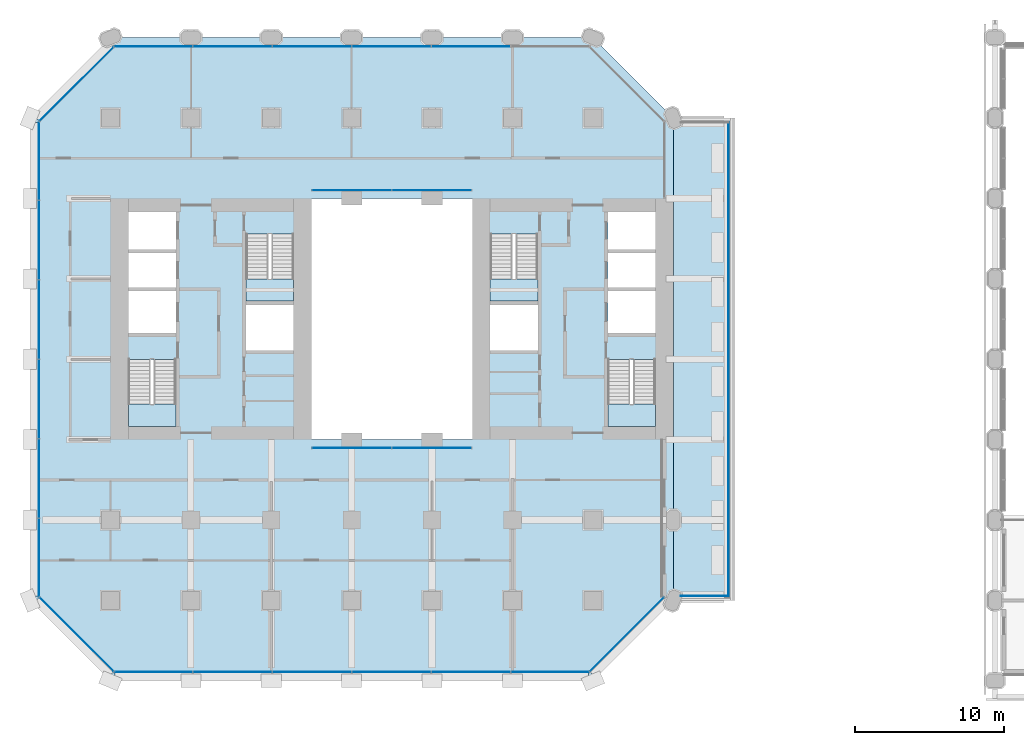
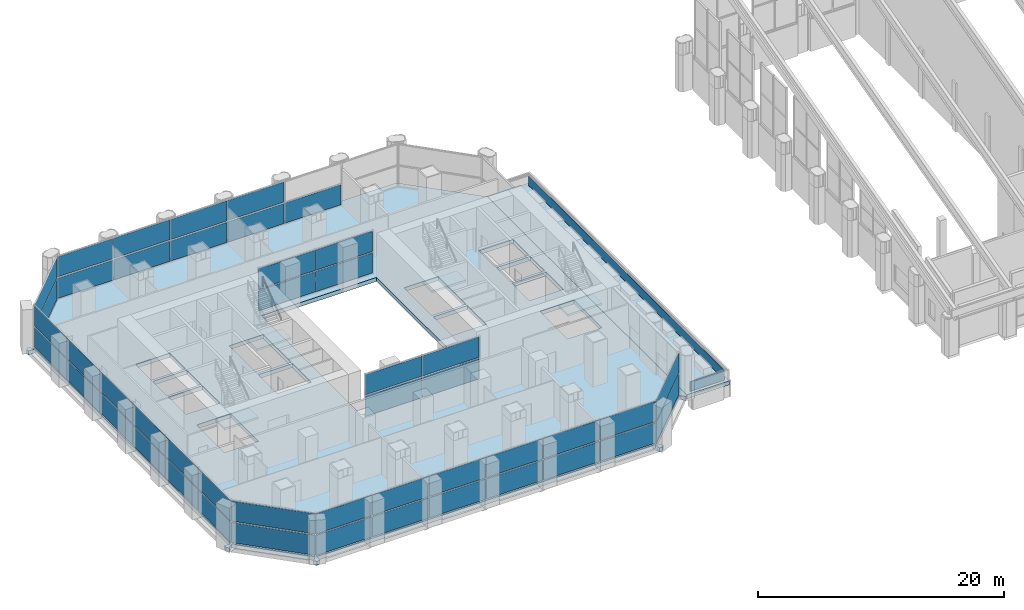
# One storey, part 24 of 42: 49 plates, 6 slabs, 12 elements without a shape of their own.
"""IFC4 building model written with IfcOpenShell, lengths in metres."""

from ifc_helpers import new_model, si_unit, direction, frame, frame_2d, origin, origin_2d, place, context, subcontext, project, spatial, polyline, rectangle, outline, extrude, material, layer, layer_set, type_object, element, aggregate, save


model = new_model("IFC4")

# Units and contexts
model_context = context("Model", 3, precision=1e-05, world=origin(), true_north=direction((0.0, 1.0)))
body_context = subcontext(model_context, "Body", "Model", "MODEL_VIEW")
ifc_project = project(units=[si_unit("LENGTHUNIT", "METRE"), si_unit("AREAUNIT", "SQUARE_METRE"), si_unit("VOLUMEUNIT", "CUBIC_METRE"), si_unit("PLANEANGLEUNIT", "RADIAN"), si_unit("MASSUNIT", "GRAM", prefix="KILO")], contexts=[model_context])

# Site, building, storey
site_placement = place(None, origin())
site = spatial("IfcSite", under=ifc_project, at=site_placement, CompositionType="ELEMENT")
building_placement = place(site_placement, origin())
building = spatial("IfcBuilding", under=site, at=building_placement, Name="Tabaq Tower and Sports Hall", CompositionType="ELEMENT")
storey_placement = place(building_placement, frame((0.0, 0.0, 19.800048828125)))
storey = spatial("IfcBuildingStorey", under=building, at=storey_placement, Name="L03", CompositionType="ELEMENT", Elevation=19.800048828125)

# Curtain wall, plates
ifc_material_1 = material(Name="Aluminium alloy 6063-T6 framed glazing", Category="aluminium")
curtain_wall_type_1 = type_object("IfcCurtainWallType", Name="CW1 curtain wall", PredefinedType="USERDEFINED", material=ifc_material_1)
curtain_wall_1_placement = place(storey_placement, origin())
curtain_wall_1 = element("IfcCurtainWall", 1, at=curtain_wall_1_placement, inside=storey, type_object=curtain_wall_type_1, Name="Atrium glazing L03 S", ObjectType="ATRIUM ENCLOSURE", PredefinedType="USERDEFINED")
ifc_material_2 = material(Name="Clear low-emissivity glass 28 mm", Category="glass")
ifc_layer_1 = layer(ifc_material_2, 0.028076171875)
ifc_layer_set_1 = layer_set([ifc_layer_1], Name="CW1 glass panel 28")
plate_type_1 = type_object("IfcPlateType", Name="CW1 glass panel 28", PredefinedType="CURTAIN_PANEL", material=ifc_layer_set_1)
plate_1_placement = place(storey_placement, frame((21.614990234375, 15.64990234375, 0.14013671875), z_axis=(0.0, 0.0, 1.0), x_axis=(1.0, 0.0, 0.0)))
plate_1 = element("IfcPlate", 2, at=plate_1_placement, type_object=plate_type_1, Name="CW1 panel 1.1", PredefinedType="CURTAIN_PANEL", context=body_context, shape_type="SweptSolid", body=[
    extrude(rectangle(XDim=5.31005859375, YDim=0.028076171875, at=origin_2d()), origin(), (0.0, 0.0, 1.0), 1.989990234375),
])
plate_2_placement = place(storey_placement, frame((21.614990234375, 15.64990234375, 2.27001953125), z_axis=(0.0, 0.0, 1.0), x_axis=(1.0, 0.0, 0.0)))
plate_2 = element("IfcPlate", 3, at=plate_2_placement, type_object=plate_type_1, Name="CW1 panel 1.2", PredefinedType="CURTAIN_PANEL", context=body_context, shape_type="SweptSolid", body=[
    extrude(rectangle(XDim=5.31005859375, YDim=0.028076171875, at=origin_2d()), origin(), (0.0, 0.0, 1.0), 1.989990234375),
])
plate_3_placement = place(storey_placement, frame((26.985107421875, 15.64990234375, 0.14013671875), z_axis=(0.0, 0.0, 1.0), x_axis=(1.0, 0.0, 0.0)))
plate_3 = element("IfcPlate", 4, at=plate_3_placement, type_object=plate_type_1, Name="CW1 panel 2.1", PredefinedType="CURTAIN_PANEL", context=body_context, shape_type="SweptSolid", body=[
    extrude(rectangle(XDim=5.31005859375, YDim=0.028076171875, at=origin_2d()), origin(), (0.0, 0.0, 1.0), 1.989990234375),
])
plate_4_placement = place(storey_placement, frame((26.985107421875, 15.64990234375, 2.27001953125), z_axis=(0.0, 0.0, 1.0), x_axis=(1.0, 0.0, 0.0)))
plate_4 = element("IfcPlate", 5, at=plate_4_placement, type_object=plate_type_1, Name="CW1 panel 2.2", PredefinedType="CURTAIN_PANEL", context=body_context, shape_type="SweptSolid", body=[
    extrude(rectangle(XDim=5.31005859375, YDim=0.028076171875, at=origin_2d()), origin(), (0.0, 0.0, 1.0), 1.989990234375),
])
aggregate(curtain_wall_1, [plate_1, plate_2, plate_3, plate_4])

curtain_wall_2_placement = place(storey_placement, origin())
curtain_wall_2 = element("IfcCurtainWall", 6, at=curtain_wall_2_placement, inside=storey, type_object=curtain_wall_type_1, Name="Atrium glazing L03 N", ObjectType="ATRIUM ENCLOSURE", PredefinedType="USERDEFINED")
plate_5_placement = place(storey_placement, frame((21.614990234375, 32.949951171875, 0.14013671875), z_axis=(0.0, 0.0, 1.0), x_axis=(1.0, 0.0, 0.0)))
plate_5 = element("IfcPlate", 7, at=plate_5_placement, type_object=plate_type_1, Name="CW1 panel 1.1", PredefinedType="CURTAIN_PANEL", context=body_context, shape_type="SweptSolid", body=[
    extrude(rectangle(XDim=5.31005859375, YDim=0.028076171875, at=origin_2d()), origin(), (0.0, 0.0, 1.0), 1.989990234375),
])
plate_6_placement = place(storey_placement, frame((21.614990234375, 32.949951171875, 2.27001953125), z_axis=(0.0, 0.0, 1.0), x_axis=(1.0, 0.0, 0.0)))
plate_6 = element("IfcPlate", 8, at=plate_6_placement, type_object=plate_type_1, Name="CW1 panel 1.2", PredefinedType="CURTAIN_PANEL", context=body_context, shape_type="SweptSolid", body=[
    extrude(rectangle(XDim=5.31005859375, YDim=0.028076171875, at=origin_2d()), origin(), (0.0, 0.0, 1.0), 1.989990234375),
])
plate_7_placement = place(storey_placement, frame((26.985107421875, 32.949951171875, 0.14013671875), z_axis=(0.0, 0.0, 1.0), x_axis=(1.0, 0.0, 0.0)))
plate_7 = element("IfcPlate", 9, at=plate_7_placement, type_object=plate_type_1, Name="CW1 panel 2.1", PredefinedType="CURTAIN_PANEL", context=body_context, shape_type="SweptSolid", body=[
    extrude(rectangle(XDim=5.31005859375, YDim=0.028076171875, at=origin_2d()), origin(), (0.0, 0.0, 1.0), 1.989990234375),
])
plate_8_placement = place(storey_placement, frame((26.985107421875, 32.949951171875, 2.27001953125), z_axis=(0.0, 0.0, 1.0), x_axis=(1.0, 0.0, 0.0)))
plate_8 = element("IfcPlate", 10, at=plate_8_placement, type_object=plate_type_1, Name="CW1 panel 2.2", PredefinedType="CURTAIN_PANEL", context=body_context, shape_type="SweptSolid", body=[
    extrude(rectangle(XDim=5.31005859375, YDim=0.028076171875, at=origin_2d()), origin(), (0.0, 0.0, 1.0), 1.989990234375),
])
aggregate(curtain_wall_2, [plate_5, plate_6, plate_7, plate_8])

ifc_material_3 = material(Name="Aluminium alloy 6063-T6 framed glazing", Category="aluminium")
curtain_wall_type_2 = type_object("IfcCurtainWallType", Name="CW7 curtain wall", PredefinedType="USERDEFINED", material=ifc_material_3)
curtain_wall_3_placement = place(storey_placement, origin())
curtain_wall_3 = element("IfcCurtainWall", 11, at=curtain_wall_3_placement, inside=storey, type_object=curtain_wall_type_2, Name="Podium Wall L03 S", ObjectType="PODIUM WALL", PredefinedType="USERDEFINED")
ifc_material_4 = material(Name="Clear low-emissivity glass 28 mm", Category="glass")
ifc_layer_2 = layer(ifc_material_4, 0.030029296875)
ifc_layer_set_2 = layer_set([ifc_layer_2], Name="CW7 glass panel 30")
plate_type_2 = type_object("IfcPlateType", Name="CW7 glass panel 30", PredefinedType="CURTAIN_PANEL", material=ifc_layer_set_2)
plate_9_placement = place(storey_placement, frame((8.271484375, 0.60009765625, 0.14013671875), z_axis=(0.0, 0.0, 1.0), x_axis=(1.0, 0.0, 0.0)))
plate_9 = element("IfcPlate", 12, at=plate_9_placement, type_object=plate_type_2, Name="CW7 panel 1.1", PredefinedType="CURTAIN_PANEL", context=body_context, shape_type="SweptSolid", body=[
    extrude(rectangle(XDim=5.240478515625, YDim=0.030029296875, at=origin_2d()), origin(), (0.0, 0.0, 1.0), 1.989990234375),
])
plate_10_placement = place(storey_placement, frame((8.271484375, 0.60009765625, 2.27001953125), z_axis=(0.0, 0.0, 1.0), x_axis=(1.0, 0.0, 0.0)))
plate_10 = element("IfcPlate", 13, at=plate_10_placement, type_object=plate_type_2, Name="CW7 panel 1.2", PredefinedType="CURTAIN_PANEL", context=body_context, shape_type="SweptSolid", body=[
    extrude(rectangle(XDim=5.240478515625, YDim=0.030029296875, at=origin_2d()), origin(), (0.0, 0.0, 1.0), 1.989990234375),
])
plate_11_placement = place(storey_placement, frame((13.59326171875, 0.60009765625, 0.14013671875), z_axis=(0.0, 0.0, 1.0), x_axis=(1.0, 0.0, 0.0)))
plate_11 = element("IfcPlate", 14, at=plate_11_placement, type_object=plate_type_2, Name="CW7 panel 2.1", PredefinedType="CURTAIN_PANEL", context=body_context, shape_type="SweptSolid", body=[
    extrude(rectangle(XDim=5.27294921875, YDim=0.030029296875, at=origin_2d()), origin(), (0.0, 0.0, 1.0), 1.989990234375),
])
plate_12_placement = place(storey_placement, frame((13.59326171875, 0.60009765625, 2.27001953125), z_axis=(0.0, 0.0, 1.0), x_axis=(1.0, 0.0, 0.0)))
plate_12 = element("IfcPlate", 15, at=plate_12_placement, type_object=plate_type_2, Name="CW7 panel 2.2", PredefinedType="CURTAIN_PANEL", context=body_context, shape_type="SweptSolid", body=[
    extrude(rectangle(XDim=5.27294921875, YDim=0.030029296875, at=origin_2d()), origin(), (0.0, 0.0, 1.0), 1.989990234375),
])
plate_13_placement = place(storey_placement, frame((18.93115234375, 0.60009765625, 0.14013671875), z_axis=(0.0, 0.0, 1.0), x_axis=(1.0, 0.0, 0.0)))
plate_13 = element("IfcPlate", 16, at=plate_13_placement, type_object=plate_type_2, Name="CW7 panel 3.1", PredefinedType="CURTAIN_PANEL", context=body_context, shape_type="SweptSolid", body=[
    extrude(rectangle(XDim=5.27294921875, YDim=0.030029296875, at=origin_2d()), origin(), (0.0, 0.0, 1.0), 1.989990234375),
])
plate_14_placement = place(storey_placement, frame((18.93115234375, 0.60009765625, 2.27001953125), z_axis=(0.0, 0.0, 1.0), x_axis=(1.0, 0.0, 0.0)))
plate_14 = element("IfcPlate", 17, at=plate_14_placement, type_object=plate_type_2, Name="CW7 panel 3.2", PredefinedType="CURTAIN_PANEL", context=body_context, shape_type="SweptSolid", body=[
    extrude(rectangle(XDim=5.27294921875, YDim=0.030029296875, at=origin_2d()), origin(), (0.0, 0.0, 1.0), 1.989990234375),
])
plate_15_placement = place(storey_placement, frame((24.26904296875, 0.60009765625, 0.14013671875), z_axis=(0.0, 0.0, 1.0), x_axis=(1.0, 0.0, 0.0)))
plate_15 = element("IfcPlate", 18, at=plate_15_placement, type_object=plate_type_2, Name="CW7 panel 4.1", PredefinedType="CURTAIN_PANEL", context=body_context, shape_type="SweptSolid", body=[
    extrude(rectangle(XDim=5.27294921875, YDim=0.030029296875, at=origin_2d()), origin(), (0.0, 0.0, 1.0), 1.989990234375),
])
plate_16_placement = place(storey_placement, frame((24.26904296875, 0.60009765625, 2.27001953125), z_axis=(0.0, 0.0, 1.0), x_axis=(1.0, 0.0, 0.0)))
plate_16 = element("IfcPlate", 19, at=plate_16_placement, type_object=plate_type_2, Name="CW7 panel 4.2", PredefinedType="CURTAIN_PANEL", context=body_context, shape_type="SweptSolid", body=[
    extrude(rectangle(XDim=5.27294921875, YDim=0.030029296875, at=origin_2d()), origin(), (0.0, 0.0, 1.0), 1.989990234375),
])
plate_17_placement = place(storey_placement, frame((29.606689453125, 0.60009765625, 0.14013671875), z_axis=(0.0, 0.0, 1.0), x_axis=(1.0, 0.0, 0.0)))
plate_17 = element("IfcPlate", 20, at=plate_17_placement, type_object=plate_type_2, Name="CW7 panel 5.1", PredefinedType="CURTAIN_PANEL", context=body_context, shape_type="SweptSolid", body=[
    extrude(rectangle(XDim=5.27294921875, YDim=0.030029296875, at=origin_2d()), origin(), (0.0, 0.0, 1.0), 1.989990234375),
])
plate_18_placement = place(storey_placement, frame((29.606689453125, 0.60009765625, 2.27001953125), z_axis=(0.0, 0.0, 1.0), x_axis=(1.0, 0.0, 0.0)))
plate_18 = element("IfcPlate", 21, at=plate_18_placement, type_object=plate_type_2, Name="CW7 panel 5.2", PredefinedType="CURTAIN_PANEL", context=body_context, shape_type="SweptSolid", body=[
    extrude(rectangle(XDim=5.27294921875, YDim=0.030029296875, at=origin_2d()), origin(), (0.0, 0.0, 1.0), 1.989990234375),
])
plate_19_placement = place(storey_placement, frame((34.928466796875, 0.60009765625, 0.14013671875), z_axis=(0.0, 0.0, 1.0), x_axis=(1.0, 0.0, 0.0)))
plate_19 = element("IfcPlate", 22, at=plate_19_placement, type_object=plate_type_2, Name="CW7 panel 6.1", PredefinedType="CURTAIN_PANEL", context=body_context, shape_type="SweptSolid", body=[
    extrude(rectangle(XDim=5.240478515625, YDim=0.030029296875, at=origin_2d()), origin(), (0.0, 0.0, 1.0), 1.989990234375),
])
plate_20_placement = place(storey_placement, frame((34.928466796875, 0.60009765625, 2.27001953125), z_axis=(0.0, 0.0, 1.0), x_axis=(1.0, 0.0, 0.0)))
plate_20 = element("IfcPlate", 23, at=plate_20_placement, type_object=plate_type_2, Name="CW7 panel 6.2", PredefinedType="CURTAIN_PANEL", context=body_context, shape_type="SweptSolid", body=[
    extrude(rectangle(XDim=5.240478515625, YDim=0.030029296875, at=origin_2d()), origin(), (0.0, 0.0, 1.0), 1.989990234375),
])
aggregate(curtain_wall_3, [plate_9, plate_10, plate_11, plate_12, plate_13, plate_14, plate_15, plate_16, plate_17, plate_18, plate_19, plate_20])

curtain_wall_4_placement = place(storey_placement, origin())
curtain_wall_4 = element("IfcCurtainWall", 24, at=curtain_wall_4_placement, inside=storey, type_object=curtain_wall_type_2, Name="Podium Wall L03 SE", ObjectType="PODIUM WALL", PredefinedType="USERDEFINED")
plate_21_placement = place(storey_placement, frame((40.07568359375, 3.124267578125, 0.14013671875), z_axis=(0.0, 0.0, 1.0), x_axis=(0.707106781187, 0.707106781187, 0.0)))
plate_21 = element("IfcPlate", 25, at=plate_21_placement, type_object=plate_type_2, Name="CW7 panel 1.1", PredefinedType="CURTAIN_PANEL", context=body_context, shape_type="SweptSolid", body=[
    extrude(rectangle(XDim=7.009765625, YDim=0.030029296875, at=origin_2d()), origin(), (0.0, 0.0, 1.0), 1.989990234375),
])
plate_22_placement = place(storey_placement, frame((40.07568359375, 3.124267578125, 2.27001953125), z_axis=(0.0, 0.0, 1.0), x_axis=(0.707106781187, 0.707106781187, 0.0)))
plate_22 = element("IfcPlate", 26, at=plate_22_placement, type_object=plate_type_2, Name="CW7 panel 1.2", PredefinedType="CURTAIN_PANEL", context=body_context, shape_type="SweptSolid", body=[
    extrude(rectangle(XDim=7.009765625, YDim=0.030029296875, at=origin_2d()), origin(), (0.0, 0.0, 1.0), 1.989990234375),
])
aggregate(curtain_wall_4, [plate_21, plate_22])

curtain_wall_5_placement = place(storey_placement, origin())
curtain_wall_5 = element("IfcCurtainWall", 27, at=curtain_wall_5_placement, inside=storey, type_object=curtain_wall_type_2, Name="Podium Wall L03 N", ObjectType="PODIUM WALL", PredefinedType="USERDEFINED")
plate_23_placement = place(storey_placement, frame((29.606689453125, 42.60009765625, 0.14013671875), z_axis=(0.0, 0.0, 1.0), x_axis=(-1.0, 0.0, 0.0)))
plate_23 = element("IfcPlate", 28, at=plate_23_placement, type_object=plate_type_2, Name="CW7 panel 2.1", PredefinedType="CURTAIN_PANEL", context=body_context, shape_type="SweptSolid", body=[
    extrude(rectangle(XDim=5.27294921875, YDim=0.030029296875, at=origin_2d()), origin(), (0.0, 0.0, 1.0), 1.989990234375),
])
plate_24_placement = place(storey_placement, frame((24.26904296875, 42.60009765625, 0.14013671875), z_axis=(0.0, 0.0, 1.0), x_axis=(-1.0, 0.0, 0.0)))
plate_24 = element("IfcPlate", 29, at=plate_24_placement, type_object=plate_type_2, Name="CW7 panel 3.1", PredefinedType="CURTAIN_PANEL", context=body_context, shape_type="SweptSolid", body=[
    extrude(rectangle(XDim=5.27294921875, YDim=0.030029296875, at=origin_2d()), origin(), (0.0, 0.0, 1.0), 1.989990234375),
])
plate_25_placement = place(storey_placement, frame((24.26904296875, 42.60009765625, 2.27001953125), z_axis=(0.0, 0.0, 1.0), x_axis=(-1.0, 0.0, 0.0)))
plate_25 = element("IfcPlate", 30, at=plate_25_placement, type_object=plate_type_2, Name="CW7 panel 3.2", PredefinedType="CURTAIN_PANEL", context=body_context, shape_type="SweptSolid", body=[
    extrude(rectangle(XDim=5.27294921875, YDim=0.030029296875, at=origin_2d()), origin(), (0.0, 0.0, 1.0), 1.989990234375),
])
plate_26_placement = place(storey_placement, frame((18.93115234375, 42.60009765625, 0.14013671875), z_axis=(0.0, 0.0, 1.0), x_axis=(-1.0, 0.0, 0.0)))
plate_26 = element("IfcPlate", 31, at=plate_26_placement, type_object=plate_type_2, Name="CW7 panel 4.1", PredefinedType="CURTAIN_PANEL", context=body_context, shape_type="SweptSolid", body=[
    extrude(rectangle(XDim=5.27294921875, YDim=0.030029296875, at=origin_2d()), origin(), (0.0, 0.0, 1.0), 1.989990234375),
])
plate_27_placement = place(storey_placement, frame((18.93115234375, 42.60009765625, 2.27001953125), z_axis=(0.0, 0.0, 1.0), x_axis=(-1.0, 0.0, 0.0)))
plate_27 = element("IfcPlate", 32, at=plate_27_placement, type_object=plate_type_2, Name="CW7 panel 4.2", PredefinedType="CURTAIN_PANEL", context=body_context, shape_type="SweptSolid", body=[
    extrude(rectangle(XDim=5.27294921875, YDim=0.030029296875, at=origin_2d()), origin(), (0.0, 0.0, 1.0), 1.989990234375),
])
plate_28_placement = place(storey_placement, frame((13.59326171875, 42.60009765625, 0.14013671875), z_axis=(0.0, 0.0, 1.0), x_axis=(-1.0, 0.0, 0.0)))
plate_28 = element("IfcPlate", 33, at=plate_28_placement, type_object=plate_type_2, Name="CW7 panel 5.1", PredefinedType="CURTAIN_PANEL", context=body_context, shape_type="SweptSolid", body=[
    extrude(rectangle(XDim=5.27294921875, YDim=0.030029296875, at=origin_2d()), origin(), (0.0, 0.0, 1.0), 1.989990234375),
])
plate_29_placement = place(storey_placement, frame((13.59326171875, 42.60009765625, 2.27001953125), z_axis=(0.0, 0.0, 1.0), x_axis=(-1.0, 0.0, 0.0)))
plate_29 = element("IfcPlate", 34, at=plate_29_placement, type_object=plate_type_2, Name="CW7 panel 5.2", PredefinedType="CURTAIN_PANEL", context=body_context, shape_type="SweptSolid", body=[
    extrude(rectangle(XDim=5.27294921875, YDim=0.030029296875, at=origin_2d()), origin(), (0.0, 0.0, 1.0), 1.989990234375),
])
plate_30_placement = place(storey_placement, frame((8.271484375, 42.60009765625, 0.14013671875), z_axis=(0.0, 0.0, 1.0), x_axis=(-1.0, 0.0, 0.0)))
plate_30 = element("IfcPlate", 35, at=plate_30_placement, type_object=plate_type_2, Name="CW7 panel 6.1", PredefinedType="CURTAIN_PANEL", context=body_context, shape_type="SweptSolid", body=[
    extrude(rectangle(XDim=5.240478515625, YDim=0.030029296875, at=origin_2d()), origin(), (0.0, 0.0, 1.0), 1.989990234375),
])
plate_31_placement = place(storey_placement, frame((8.271484375, 42.60009765625, 2.27001953125), z_axis=(0.0, 0.0, 1.0), x_axis=(-1.0, 0.0, 0.0)))
plate_31 = element("IfcPlate", 36, at=plate_31_placement, type_object=plate_type_2, Name="CW7 panel 6.2", PredefinedType="CURTAIN_PANEL", context=body_context, shape_type="SweptSolid", body=[
    extrude(rectangle(XDim=5.240478515625, YDim=0.030029296875, at=origin_2d()), origin(), (0.0, 0.0, 1.0), 1.989990234375),
])
aggregate(curtain_wall_5, [plate_23, plate_24, plate_25, plate_26, plate_27, plate_28, plate_29, plate_30, plate_31])

curtain_wall_6_placement = place(storey_placement, origin())
curtain_wall_6 = element("IfcCurtainWall", 37, at=curtain_wall_6_placement, inside=storey, type_object=curtain_wall_type_2, Name="Podium Wall L03 NW", ObjectType="PODIUM WALL", PredefinedType="USERDEFINED")
plate_32_placement = place(storey_placement, frame((3.124267578125, 40.07568359375, 0.14013671875), z_axis=(0.0, 0.0, 1.0), x_axis=(-0.707106781187, -0.707106781187, 0.0)))
plate_32 = element("IfcPlate", 38, at=plate_32_placement, type_object=plate_type_2, Name="CW7 panel 1.1", PredefinedType="CURTAIN_PANEL", context=body_context, shape_type="SweptSolid", body=[
    extrude(rectangle(XDim=7.009765625, YDim=0.030029296875, at=origin_2d()), origin(), (0.0, 0.0, 1.0), 1.989990234375),
])
plate_33_placement = place(storey_placement, frame((3.124267578125, 40.07568359375, 2.27001953125), z_axis=(0.0, 0.0, 1.0), x_axis=(-0.707106781187, -0.707106781187, 0.0)))
plate_33 = element("IfcPlate", 39, at=plate_33_placement, type_object=plate_type_2, Name="CW7 panel 1.2", PredefinedType="CURTAIN_PANEL", context=body_context, shape_type="SweptSolid", body=[
    extrude(rectangle(XDim=7.009765625, YDim=0.030029296875, at=origin_2d()), origin(), (0.0, 0.0, 1.0), 1.989990234375),
])
aggregate(curtain_wall_6, [plate_32, plate_33])

curtain_wall_7_placement = place(storey_placement, origin())
curtain_wall_7 = element("IfcCurtainWall", 40, at=curtain_wall_7_placement, inside=storey, type_object=curtain_wall_type_2, Name="Podium Wall L03 W", ObjectType="PODIUM WALL", PredefinedType="USERDEFINED")
plate_34_placement = place(storey_placement, frame((0.60009765625, 34.928466796875, 0.14013671875), z_axis=(0.0, 0.0, 1.0), x_axis=(0.0, -1.0, 0.0)))
plate_34 = element("IfcPlate", 41, at=plate_34_placement, type_object=plate_type_2, Name="CW7 panel 1.1", PredefinedType="CURTAIN_PANEL", context=body_context, shape_type="SweptSolid", body=[
    extrude(rectangle(XDim=5.240478515625, YDim=0.030029296875, at=origin_2d()), origin(), (0.0, 0.0, 1.0), 1.989990234375),
])
plate_35_placement = place(storey_placement, frame((0.60009765625, 34.928466796875, 2.27001953125), z_axis=(0.0, 0.0, 1.0), x_axis=(0.0, -1.0, 0.0)))
plate_35 = element("IfcPlate", 42, at=plate_35_placement, type_object=plate_type_2, Name="CW7 panel 1.2", PredefinedType="CURTAIN_PANEL", context=body_context, shape_type="SweptSolid", body=[
    extrude(rectangle(XDim=5.240478515625, YDim=0.030029296875, at=origin_2d()), origin(), (0.0, 0.0, 1.0), 1.989990234375),
])
plate_36_placement = place(storey_placement, frame((0.60009765625, 29.606689453125, 0.14013671875), z_axis=(0.0, 0.0, 1.0), x_axis=(0.0, -1.0, 0.0)))
plate_36 = element("IfcPlate", 43, at=plate_36_placement, type_object=plate_type_2, Name="CW7 panel 2.1", PredefinedType="CURTAIN_PANEL", context=body_context, shape_type="SweptSolid", body=[
    extrude(rectangle(XDim=5.27294921875, YDim=0.030029296875, at=origin_2d()), origin(), (0.0, 0.0, 1.0), 1.989990234375),
])
plate_37_placement = place(storey_placement, frame((0.60009765625, 29.606689453125, 2.27001953125), z_axis=(0.0, 0.0, 1.0), x_axis=(0.0, -1.0, 0.0)))
plate_37 = element("IfcPlate", 44, at=plate_37_placement, type_object=plate_type_2, Name="CW7 panel 2.2", PredefinedType="CURTAIN_PANEL", context=body_context, shape_type="SweptSolid", body=[
    extrude(rectangle(XDim=5.27294921875, YDim=0.030029296875, at=origin_2d()), origin(), (0.0, 0.0, 1.0), 1.989990234375),
])
plate_38_placement = place(storey_placement, frame((0.60009765625, 24.26904296875, 0.14013671875), z_axis=(0.0, 0.0, 1.0), x_axis=(0.0, -1.0, 0.0)))
plate_38 = element("IfcPlate", 45, at=plate_38_placement, type_object=plate_type_2, Name="CW7 panel 3.1", PredefinedType="CURTAIN_PANEL", context=body_context, shape_type="SweptSolid", body=[
    extrude(rectangle(XDim=5.27294921875, YDim=0.030029296875, at=origin_2d()), origin(), (0.0, 0.0, 1.0), 1.989990234375),
])
plate_39_placement = place(storey_placement, frame((0.60009765625, 24.26904296875, 2.27001953125), z_axis=(0.0, 0.0, 1.0), x_axis=(0.0, -1.0, 0.0)))
plate_39 = element("IfcPlate", 46, at=plate_39_placement, type_object=plate_type_2, Name="CW7 panel 3.2", PredefinedType="CURTAIN_PANEL", context=body_context, shape_type="SweptSolid", body=[
    extrude(rectangle(XDim=5.27294921875, YDim=0.030029296875, at=origin_2d()), origin(), (0.0, 0.0, 1.0), 1.989990234375),
])
plate_40_placement = place(storey_placement, frame((0.60009765625, 18.93115234375, 0.14013671875), z_axis=(0.0, 0.0, 1.0), x_axis=(0.0, -1.0, 0.0)))
plate_40 = element("IfcPlate", 47, at=plate_40_placement, type_object=plate_type_2, Name="CW7 panel 4.1", PredefinedType="CURTAIN_PANEL", context=body_context, shape_type="SweptSolid", body=[
    extrude(rectangle(XDim=5.27294921875, YDim=0.030029296875, at=origin_2d()), origin(), (0.0, 0.0, 1.0), 1.989990234375),
])
plate_41_placement = place(storey_placement, frame((0.60009765625, 18.93115234375, 2.27001953125), z_axis=(0.0, 0.0, 1.0), x_axis=(0.0, -1.0, 0.0)))
plate_41 = element("IfcPlate", 48, at=plate_41_placement, type_object=plate_type_2, Name="CW7 panel 4.2", PredefinedType="CURTAIN_PANEL", context=body_context, shape_type="SweptSolid", body=[
    extrude(rectangle(XDim=5.27294921875, YDim=0.030029296875, at=origin_2d()), origin(), (0.0, 0.0, 1.0), 1.989990234375),
])
plate_42_placement = place(storey_placement, frame((0.60009765625, 13.59326171875, 0.14013671875), z_axis=(0.0, 0.0, 1.0), x_axis=(0.0, -1.0, 0.0)))
plate_42 = element("IfcPlate", 49, at=plate_42_placement, type_object=plate_type_2, Name="CW7 panel 5.1", PredefinedType="CURTAIN_PANEL", context=body_context, shape_type="SweptSolid", body=[
    extrude(rectangle(XDim=5.27294921875, YDim=0.030029296875, at=origin_2d()), origin(), (0.0, 0.0, 1.0), 1.989990234375),
])
plate_43_placement = place(storey_placement, frame((0.60009765625, 13.59326171875, 2.27001953125), z_axis=(0.0, 0.0, 1.0), x_axis=(0.0, -1.0, 0.0)))
plate_43 = element("IfcPlate", 50, at=plate_43_placement, type_object=plate_type_2, Name="CW7 panel 5.2", PredefinedType="CURTAIN_PANEL", context=body_context, shape_type="SweptSolid", body=[
    extrude(rectangle(XDim=5.27294921875, YDim=0.030029296875, at=origin_2d()), origin(), (0.0, 0.0, 1.0), 1.989990234375),
])
plate_44_placement = place(storey_placement, frame((0.60009765625, 8.271484375, 0.14013671875), z_axis=(0.0, 0.0, 1.0), x_axis=(0.0, -1.0, 0.0)))
plate_44 = element("IfcPlate", 51, at=plate_44_placement, type_object=plate_type_2, Name="CW7 panel 6.1", PredefinedType="CURTAIN_PANEL", context=body_context, shape_type="SweptSolid", body=[
    extrude(rectangle(XDim=5.240478515625, YDim=0.030029296875, at=origin_2d()), origin(), (0.0, 0.0, 1.0), 1.989990234375),
])
plate_45_placement = place(storey_placement, frame((0.60009765625, 8.271484375, 2.27001953125), z_axis=(0.0, 0.0, 1.0), x_axis=(0.0, -1.0, 0.0)))
plate_45 = element("IfcPlate", 52, at=plate_45_placement, type_object=plate_type_2, Name="CW7 panel 6.2", PredefinedType="CURTAIN_PANEL", context=body_context, shape_type="SweptSolid", body=[
    extrude(rectangle(XDim=5.240478515625, YDim=0.030029296875, at=origin_2d()), origin(), (0.0, 0.0, 1.0), 1.989990234375),
])
aggregate(curtain_wall_7, [plate_34, plate_35, plate_36, plate_37, plate_38, plate_39, plate_40, plate_41, plate_42, plate_43, plate_44, plate_45])

curtain_wall_8_placement = place(storey_placement, origin())
curtain_wall_8 = element("IfcCurtainWall", 53, at=curtain_wall_8_placement, inside=storey, type_object=curtain_wall_type_2, Name="Podium Wall L03 SW", ObjectType="PODIUM WALL", PredefinedType="USERDEFINED")
plate_46_placement = place(storey_placement, frame((3.124267578125, 3.124267578125, 0.14013671875), z_axis=(0.0, 0.0, 1.0), x_axis=(0.707106781187, -0.707106781187, 0.0)))
plate_46 = element("IfcPlate", 54, at=plate_46_placement, type_object=plate_type_2, Name="CW7 panel 1.1", PredefinedType="CURTAIN_PANEL", context=body_context, shape_type="SweptSolid", body=[
    extrude(rectangle(XDim=7.009765625, YDim=0.030029296875, at=origin_2d()), origin(), (0.0, 0.0, 1.0), 1.989990234375),
])
plate_47_placement = place(storey_placement, frame((3.124267578125, 3.124267578125, 2.27001953125), z_axis=(0.0, 0.0, 1.0), x_axis=(0.707106781187, -0.707106781187, 0.0)))
plate_47 = element("IfcPlate", 55, at=plate_47_placement, type_object=plate_type_2, Name="CW7 panel 1.2", PredefinedType="CURTAIN_PANEL", context=body_context, shape_type="SweptSolid", body=[
    extrude(rectangle(XDim=7.009765625, YDim=0.030029296875, at=origin_2d()), origin(), (0.0, 0.0, 1.0), 1.989990234375),
])
aggregate(curtain_wall_8, [plate_46, plate_47])

# Slab
ifc_material_5 = material(Name="Concrete C40/50", Category="concrete")
ifc_layer_3 = layer(ifc_material_5, 0.39990234375)
ifc_layer_set_3 = layer_set([ifc_layer_3], Name="Concrete C40/50 PT tray slab")
slab_type_1 = type_object("IfcSlabType", Name="Concrete C40/50 PT tray slab", PredefinedType="FLOOR", material=ifc_layer_set_3)
slab_1_placement = place(storey_placement, frame((0.0, 0.0, -0.400146484375)))
element("IfcSlab", 56, at=slab_1_placement, inside=storey, type_object=slab_type_1, Name="Tray slab L03", PredefinedType="FLOOR", context=body_context, shape_type="SweptSolid", body=[
    extrude(outline(polyline([(43.199951171875, 5.39990234375), (43.199951171875, 37.800048828125), (47.199951171875, 37.800048828125), (47.199951171875, 5.39990234375), (43.199951171875, 5.39990234375)])), origin(), (0.0, 0.0, 1.0), 0.400146484375),
])

# Stair, slab
ifc_material_6 = material(Name="Concrete C40/50", Category="concrete")
stair_type = type_object("IfcStairType", Name="Exit stair", PredefinedType="HALF_TURN_STAIR", material=ifc_material_6)
stair_1_placement = place(storey_placement, origin())
stair_1 = element("IfcStair", 57, at=stair_1_placement, inside=storey, type_object=stair_type, Name="L03 Exit stair ST1", PredefinedType="HALF_TURN_STAIR")
ifc_material_7 = material(Name="Concrete C40/50", Category="concrete")
ifc_layer_4 = layer(ifc_material_7, 0.199951171875)
ifc_layer_set_4 = layer_set([ifc_layer_4], Name="Exit stair landing")
slab_type_2 = type_object("IfcSlabType", Name="Exit stair landing", PredefinedType="LANDING", material=ifc_layer_set_4)
slab_2_placement = place(storey_placement, frame((0.0, 0.0, 2.199951171875)))
slab_2 = element("IfcSlab", 58, at=slab_2_placement, type_object=slab_type_2, Name="ST1 landing 1", PredefinedType="LANDING", context=body_context, shape_type="SweptSolid", body=[
    extrude(outline(polyline([(6.60009765625, 18.60009765625), (6.60009765625, 17.10009765625), (9.800048828125, 17.10009765625), (9.800048828125, 18.60009765625), (6.60009765625, 18.60009765625)])), origin(), (0.0, 0.0, 1.0), 0.199951171875),
])
aggregate(stair_1, [slab_2])

stair_2_placement = place(storey_placement, origin())
stair_2 = element("IfcStair", 59, at=stair_2_placement, inside=storey, type_object=stair_type, Name="L03 Exit stair ST2", PredefinedType="HALF_TURN_STAIR")
slab_3_placement = place(storey_placement, frame((0.0, 0.0, 2.199951171875)))
slab_3 = element("IfcSlab", 60, at=slab_3_placement, type_object=slab_type_2, Name="ST2 landing 1", PredefinedType="LANDING", context=body_context, shape_type="SweptSolid", body=[
    extrude(outline(polyline([(14.5, 27.0), (14.5, 25.5), (17.699951171875, 25.5), (17.699951171875, 27.0), (14.5, 27.0)])), origin(), (0.0, 0.0, 1.0), 0.199951171875),
])
aggregate(stair_2, [slab_3])

stair_3_placement = place(storey_placement, origin())
stair_3 = element("IfcStair", 61, at=stair_3_placement, inside=storey, type_object=stair_type, Name="L03 Exit stair ST3", PredefinedType="HALF_TURN_STAIR")
slab_4_placement = place(storey_placement, frame((0.0, 0.0, 2.199951171875)))
slab_4 = element("IfcSlab", 62, at=slab_4_placement, type_object=slab_type_2, Name="ST3 landing 1", PredefinedType="LANDING", context=body_context, shape_type="SweptSolid", body=[
    extrude(outline(polyline([(38.800048828125, 18.60009765625), (38.800048828125, 17.10009765625), (42.0, 17.10009765625), (42.0, 18.60009765625), (38.800048828125, 18.60009765625)])), origin(), (0.0, 0.0, 1.0), 0.199951171875),
])
aggregate(stair_3, [slab_4])

stair_4_placement = place(storey_placement, origin())
stair_4 = element("IfcStair", 63, at=stair_4_placement, inside=storey, type_object=stair_type, Name="L03 Exit stair ST4", PredefinedType="HALF_TURN_STAIR")
slab_5_placement = place(storey_placement, frame((0.0, 0.0, 2.199951171875)))
slab_5 = element("IfcSlab", 64, at=slab_5_placement, type_object=slab_type_2, Name="ST4 landing 1", PredefinedType="LANDING", context=body_context, shape_type="SweptSolid", body=[
    extrude(outline(polyline([(30.89990234375, 27.0), (30.89990234375, 25.5), (34.10009765625, 25.5), (34.10009765625, 27.0), (30.89990234375, 27.0)])), origin(), (0.0, 0.0, 1.0), 0.199951171875),
])
aggregate(stair_4, [slab_5])

# Plates
ifc_material_8 = material(Name="Clear low-emissivity glass 28 mm", Category="glass")
ifc_layer_5 = layer(ifc_material_8, 0.02001953125)
ifc_layer_set_5 = layer_set([ifc_layer_5], Name="Laminated glass tray guard panel 20")
plate_type_3 = type_object("IfcPlateType", Name="Laminated glass tray guard panel 20", PredefinedType="USERDEFINED", material=ifc_layer_set_5)
plate_48_placement = place(storey_placement, frame((43.699951171875, 5.699951171875, 0.0), z_axis=(0.0, 0.0, 1.0), x_axis=(1.0, 0.0, 0.0)))
element("IfcPlate", 65, at=plate_48_placement, inside=storey, type_object=plate_type_3, Name="Tray guard glass L03", ObjectType="GUARD GLASS", PredefinedType="USERDEFINED", context=body_context, shape_type="SweptSolid", body=[
    extrude(rectangle(XDim=3.199951171875, YDim=0.02001953125, at=frame_2d((1.60009765625, 0.0))), origin(), (0.0, 0.0, 1.0), 0.949951171875),
])
plate_49_placement = place(storey_placement, frame((46.89990234375, 5.699951171875, 0.0), z_axis=(0.0, 0.0, 1.0), x_axis=(0.0, 1.0, 0.0)))
element("IfcPlate", 66, at=plate_49_placement, inside=storey, type_object=plate_type_3, Name="Tray guard glass L03", ObjectType="GUARD GLASS", PredefinedType="USERDEFINED", context=body_context, shape_type="SweptSolid", body=[
    extrude(rectangle(XDim=31.800048828125, YDim=0.02001953125, at=frame_2d((15.89990234375, 0.0))), origin(), (0.0, 0.0, 1.0), 0.949951171875),
])

# Slab
ifc_material_9 = material(Name="Concrete C40/50", Category="concrete")
ifc_layer_6 = layer(ifc_material_9, 0.39990234375)
ifc_layer_set_6 = layer_set([ifc_layer_6], Name="PT FLOOR SLAB 400 C40/50")
slab_type_3 = type_object("IfcSlabType", Name="PT FLOOR SLAB 400 C40/50", PredefinedType="FLOOR", material=ifc_layer_set_6)
slab_6_placement = place(storey_placement, frame((0.0, 0.0, -0.400146484375)))
element("IfcSlab", 67, at=slab_6_placement, inside=storey, type_object=slab_type_3, Name="Floor Slab L03", PredefinedType="FLOOR", context=body_context, shape_type="SweptSolid", body=[
    extrude(outline(polyline([(0.0, 5.698486328125), (0.0, 5.39990234375), (0.211181640625, 5.18896484375), (0.63525390625, 5.61328125), (5.61328125, 0.63525390625), (5.18896484375, 0.211181640625), (5.39990234375, 0.0), (5.698486328125, 0.0), (5.698486328125, 0.5), (5.698486328125, 0.60009765625), (37.50146484375, 0.60009765625), (37.50146484375, 0.5), (37.50146484375, 0.0), (37.800048828125, 0.0), (38.010986328125, 0.211181640625), (37.5869140625, 0.63525390625), (42.598876953125, 5.6474609375), (42.669677734375, 5.57666015625), (43.023193359375, 5.22314453125), (43.199951171875, 5.39990234375), (43.199951171875, 37.800048828125), (37.800048828125, 43.199951171875), (5.39990234375, 43.199951171875), (5.22314453125, 43.023193359375), (5.57666015625, 42.669677734375), (5.6474609375, 42.598876953125), (0.63525390625, 37.5869140625), (0.211181640625, 38.010986328125), (0.0, 37.800048828125), (0.0, 37.50146484375), (0.5, 37.50146484375), (0.60009765625, 37.50146484375), (0.60009765625, 5.698486328125), (0.5, 5.698486328125), (0.0, 5.698486328125)]), holes=[polyline([(6.60009765625, 21.599365234375), (9.800048828125, 21.599365234375), (9.800048828125, 17.10009765625), (6.60009765625, 17.10009765625), (6.60009765625, 21.599365234375)]), polyline([(17.699951171875, 25.25), (17.699951171875, 22.199951171875), (14.5, 22.199951171875), (14.5, 25.25), (17.699951171875, 25.25)]), polyline([(18.89990234375, 32.39990234375), (29.699951171875, 32.39990234375), (29.699951171875, 16.199951171875), (18.89990234375, 16.199951171875), (18.89990234375, 32.39990234375)]), polyline([(6.60009765625, 26.175048828125), (9.800048828125, 26.175048828125), (9.800048828125, 23.35009765625), (6.60009765625, 23.35009765625), (6.60009765625, 26.175048828125)]), polyline([(9.800048828125, 28.72509765625), (9.800048828125, 26.425048828125), (6.60009765625, 26.425048828125), (6.60009765625, 28.72509765625), (9.800048828125, 28.72509765625)]), polyline([(17.699951171875, 29.99951171875), (17.699951171875, 25.5), (14.5, 25.5), (14.5, 29.99951171875), (17.699951171875, 29.99951171875)]), polyline([(6.60009765625, 31.5), (9.800048828125, 31.5), (9.800048828125, 28.97509765625), (6.60009765625, 28.97509765625), (6.60009765625, 31.5)]), polyline([(42.0, 21.599365234375), (42.0, 17.10009765625), (38.800048828125, 17.10009765625), (38.800048828125, 21.599365234375), (42.0, 21.599365234375)]), polyline([(34.10009765625, 25.25), (34.10009765625, 22.199951171875), (30.89990234375, 22.199951171875), (30.89990234375, 25.25), (34.10009765625, 25.25)]), polyline([(42.0, 26.175048828125), (42.0, 23.35009765625), (38.800048828125, 23.35009765625), (38.800048828125, 26.175048828125), (42.0, 26.175048828125)]), polyline([(42.0, 28.72509765625), (42.0, 26.425048828125), (38.800048828125, 26.425048828125), (38.800048828125, 28.72509765625), (42.0, 28.72509765625)]), polyline([(34.10009765625, 29.99951171875), (34.10009765625, 25.5), (30.89990234375, 25.5), (30.89990234375, 29.99951171875), (34.10009765625, 29.99951171875)]), polyline([(42.0, 31.5), (42.0, 28.97509765625), (38.800048828125, 28.97509765625), (38.800048828125, 31.5), (42.0, 31.5)])]), origin(), (0.0, 0.0, 1.0), 0.400146484375),
])

save(model, "model.ifc")
